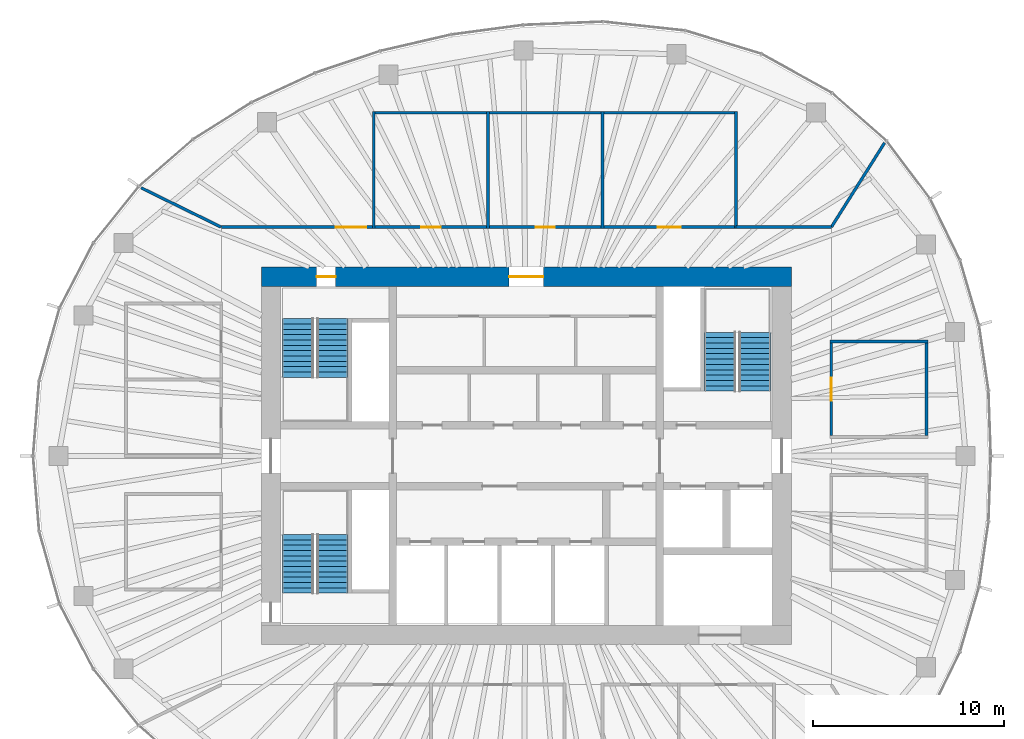
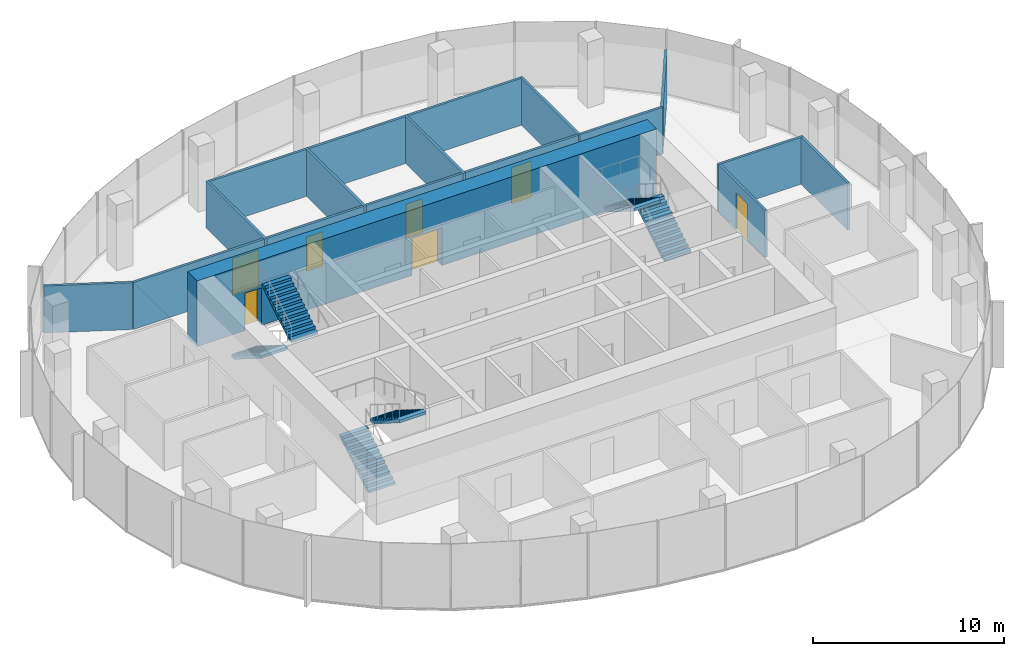
# One storey, part 10 of 11: 18 walls, 7 doors, 6 stair flights, 7 openings, 3 elements without a shape of their own.
"""IFC4 building model written with IfcOpenShell, lengths in metres."""

from ifc_helpers import new_model, si_unit, direction, frame, frame_2d, origin, place, context, subcontext, project, spatial, polyline, rectangle, outline, extrude, material, layer, layer_set, type_object, element, fill, aggregate, save


model = new_model("IFC4")

# Units and contexts
model_context = context("Model", 3, precision=1e-05, world=origin(), true_north=direction((0.0, 1.0)))
body_context = subcontext(model_context, "Body", "Model", "MODEL_VIEW")
ifc_project = project(units=[si_unit("LENGTHUNIT", "METRE"), si_unit("AREAUNIT", "SQUARE_METRE"), si_unit("VOLUMEUNIT", "CUBIC_METRE"), si_unit("PLANEANGLEUNIT", "RADIAN"), si_unit("MASSUNIT", "GRAM", prefix="KILO")], contexts=[model_context])

# Site, building, storey
site_placement = place(None, origin())
site = spatial("IfcSite", under=ifc_project, at=site_placement, CompositionType="ELEMENT")
building_placement = place(site_placement, origin())
building = spatial("IfcBuilding", under=site, at=building_placement, Name="Ghaith Harvest Tower", CompositionType="ELEMENT")
storey_placement = place(building_placement, frame((0.0, 0.0, 321.60009765625)))
storey = spatial("IfcBuildingStorey", under=building, at=storey_placement, Name="L72", CompositionType="ELEMENT", Elevation=321.60009765625)

# Wall, openings, doors
ifc_material_1 = material(Name="Concrete C50/60", Category="concrete")
ifc_layer_1 = layer(ifc_material_1, 1.0)
ifc_layer_set_1 = layer_set([ifc_layer_1], Name="CORE WALL CW1000")
wall_type_1 = type_object("IfcWallType", Name="CORE WALL CW1000", PredefinedType="SHEAR", material=ifc_layer_set_1)
wall_1_placement = place(storey_placement, frame((13.89990234375, 9.39990234375, 0.0), z_axis=(0.0, 0.0, 1.0), x_axis=(-1.0, 0.0, 0.0)))
wall_1 = element("IfcWall", 1, at=wall_1_placement, inside=storey, type_object=wall_type_1, Name="Core wall N L72", PredefinedType="SHEAR", context=body_context, shape_type="SweptSolid", body=[
    extrude(rectangle(XDim=27.7998046875, YDim=1.0, at=frame_2d((13.89990234375, 0.0))), origin(), (0.0, 0.0, 1.0), 4.199951171875),
])
opening_1_placement = place(wall_1_placement, frame((23.89990234375, 0.0, 0.0)))
opening_1 = element("IfcOpeningElement", 2, at=opening_1_placement, cuts=wall_1, Name="Opening 72-005", PredefinedType="OPENING", context=body_context, shape_type="SweptSolid", body=[
    extrude(rectangle(XDim=1.0, YDim=2.39990234375, at=frame_2d((0.5, 1.199951171875))), frame((0.0, 0.510009765625, 0.0), z_axis=(0.0, -1.0, 0.0), x_axis=(1.0, 0.0, 0.0)), (0.0, 0.0, 1.0), 1.02001953125),
])
opening_2_placement = place(wall_1_placement, frame((13.0, 0.0, 0.0)))
opening_2 = element("IfcOpeningElement", 3, at=opening_2_placement, cuts=wall_1, Name="Opening 72-017", PredefinedType="OPENING", context=body_context, shape_type="SweptSolid", body=[
    extrude(rectangle(XDim=1.800048828125, YDim=2.39990234375, at=frame_2d((0.89990234375, 1.199951171875))), frame((0.0, 0.510009765625, 0.0), z_axis=(0.0, -1.0, 0.0), x_axis=(1.0, 0.0, 0.0)), (0.0, 0.0, 1.0), 1.02001953125),
])
ifc_material_2 = material(Name="Steel fire door", Category="steel")
door_type_1 = type_object("IfcDoorType", Name="D3 FD90 1000x2400", OperationType="SINGLE_SWING_LEFT", PredefinedType="DOOR", material=ifc_material_2)
door_1_placement = place(opening_1_placement, origin())
door_1 = element("IfcDoor", 4, at=door_1_placement, inside=storey, type_object=door_type_1, Name="Stair ST1 door", OperationType="SINGLE_SWING_RIGHT", OverallHeight=2.39990234375, OverallWidth=1.0, PredefinedType="DOOR", context=body_context, shape_type="SweptSolid", body=[
    extrude(rectangle(XDim=1.0, YDim=2.39990234375, at=frame_2d((0.5, 1.199951171875))), frame((0.0, 0.02490234375, 0.0), z_axis=(0.0, -1.0, 0.0), x_axis=(1.0, 0.0, 0.0)), (0.0, 0.0, 1.0), 0.050048828125),
])
fill(opening_1, door_1)
ifc_material_3 = material(Name="Steel fire door", Category="steel")
door_type_2 = type_object("IfcDoorType", Name="D4 FD90 PAIR 1800x2400", OperationType="DOUBLE_DOOR_SINGLE_SWING", PredefinedType="DOOR", material=ifc_material_3)
door_2_placement = place(opening_2_placement, origin())
door_2 = element("IfcDoor", 5, at=door_2_placement, inside=storey, type_object=door_type_2, Name="Core service corridor doors", OperationType="DOUBLE_DOOR_SINGLE_SWING", OverallHeight=2.39990234375, OverallWidth=1.800048828125, PredefinedType="DOOR", context=body_context, shape_type="SweptSolid", body=[
    extrude(rectangle(XDim=1.800048828125, YDim=2.39990234375, at=frame_2d((0.89990234375, 1.199951171875))), frame((0.0, 0.02490234375, 0.0), z_axis=(0.0, -1.0, 0.0), x_axis=(1.0, 0.0, 0.0)), (0.0, 0.0, 1.0), 0.050048828125),
])
fill(opening_2, door_2)

# Walls
ifc_material_4 = material(Name="Gypsum board on steel studs", Category="steel")
ifc_layer_2 = layer(ifc_material_4, 0.14990234375)
ifc_layer_set_2 = layer_set([ifc_layer_2], Name="PARTITION 150")
wall_type_2 = type_object("IfcWallType", Name="PARTITION 150", PredefinedType="PARTITIONING", material=ifc_layer_set_2)
for number, where, z_axis, x_axis, name in (
    (6, (-8.0, 11.925048828125, 0.0), (0.0, 0.0, 1.0), (0.0, 1.0, 0.0), "Partition L72 row N1 cross wall 1"),
    (7, (-2.0, 11.925048828125, 0.0), (0.0, 0.0, 1.0), (0.0, 1.0, 0.0), "Partition L72 row N1 cross wall 2"),
    (8, (4.0, 11.925048828125, 0.0), (0.0, 0.0, 1.0), (0.0, 1.0, 0.0), "Partition L72 row N1 cross wall 3"),
    (9, (11.0, 11.925048828125, 0.0), (0.0, 0.0, 1.0), (0.0, 1.0, 0.0), "Partition L72 row N1 cross wall 4"),
):
    element("IfcWall", number, at=place(storey_placement, frame(where, z_axis=z_axis, x_axis=x_axis)), inside=storey, type_object=wall_type_2, Name=name, PredefinedType="PARTITIONING", context=body_context, shape_type="SweptSolid", body=[
        extrude(rectangle(XDim=6.14990234375, YDim=0.14990234375, at=frame_2d((3.074951171875, 0.0))), origin(), (0.0, 0.0, 1.0), 3.0),
    ])

# Wall, opening, door
wall_2_placement = place(storey_placement, frame((-7.925048828125, 12.0, 0.0), z_axis=(0.0, 0.0, 1.0), x_axis=(1.0, 0.0, 0.0)))
wall_2 = element("IfcWall", 10, at=wall_2_placement, inside=storey, type_object=wall_type_2, Name="Partition L72-01", PredefinedType="PARTITIONING", context=body_context, shape_type="SweptSolid", body=[
    extrude(rectangle(XDim=5.85009765625, YDim=0.14990234375, at=frame_2d((2.925048828125, 0.0))), origin(), (0.0, 0.0, 1.0), 3.0),
])
opening_3_placement = place(wall_2_placement, frame((2.425048828125, 0.0, 0.0)))
opening_3 = element("IfcOpeningElement", 11, at=opening_3_placement, cuts=wall_2, Name="Opening 72-025", PredefinedType="OPENING", context=body_context, shape_type="SweptSolid", body=[
    extrude(rectangle(XDim=1.0, YDim=2.199951171875, at=frame_2d((0.5, 1.10009765625))), frame((0.0, 0.0849609375, 0.0), z_axis=(0.0, -1.0, 0.0), x_axis=(1.0, 0.0, 0.0)), (0.0, 0.0, 1.0), 0.169921875),
])
ifc_material_5 = material(Name="Timber door", Category="wood")
door_type_3 = type_object("IfcDoorType", Name="D1 SINGLE 1000x2200", OperationType="SINGLE_SWING_LEFT", PredefinedType="DOOR", material=ifc_material_5)
door_3_placement = place(opening_3_placement, origin())
door_3 = element("IfcDoor", 12, at=door_3_placement, inside=storey, type_object=door_type_3, Name="Drying room door", OperationType="SINGLE_SWING_LEFT", OverallHeight=2.199951171875, OverallWidth=1.0, PredefinedType="DOOR", context=body_context, shape_type="SweptSolid", body=[
    extrude(rectangle(XDim=1.0, YDim=2.199951171875, at=frame_2d((0.5, 1.10009765625))), frame((0.0, 0.02490234375, 0.0), z_axis=(0.0, -1.0, 0.0), x_axis=(1.0, 0.0, 0.0)), (0.0, 0.0, 1.0), 0.050048828125),
])
fill(opening_3, door_3)

# Wall
wall_3_placement = place(storey_placement, frame((-7.925048828125, 18.0, 0.0), z_axis=(0.0, 0.0, 1.0), x_axis=(1.0, 0.0, 0.0)))
element("IfcWall", 13, at=wall_3_placement, inside=storey, type_object=wall_type_2, Name="Partition L72-01", PredefinedType="PARTITIONING", context=body_context, shape_type="SweptSolid", body=[
    extrude(rectangle(XDim=5.85009765625, YDim=0.14990234375, at=frame_2d((2.925048828125, 0.0))), origin(), (0.0, 0.0, 1.0), 3.0),
])

# Wall, opening, door
wall_4_placement = place(storey_placement, frame((-1.925048828125, 12.0, 0.0), z_axis=(0.0, 0.0, 1.0), x_axis=(1.0, 0.0, 0.0)))
wall_4 = element("IfcWall", 14, at=wall_4_placement, inside=storey, type_object=wall_type_2, Name="Partition L72-02", PredefinedType="PARTITIONING", context=body_context, shape_type="SweptSolid", body=[
    extrude(rectangle(XDim=5.85009765625, YDim=0.14990234375, at=frame_2d((2.925048828125, 0.0))), origin(), (0.0, 0.0, 1.0), 3.0),
])
opening_4_placement = place(wall_4_placement, frame((2.425048828125, 0.0, 0.0)))
opening_4 = element("IfcOpeningElement", 15, at=opening_4_placement, cuts=wall_4, Name="Opening 72-026", PredefinedType="OPENING", context=body_context, shape_type="SweptSolid", body=[
    extrude(rectangle(XDim=1.0, YDim=2.199951171875, at=frame_2d((0.5, 1.10009765625))), frame((0.0, 0.0849609375, 0.0), z_axis=(0.0, -1.0, 0.0), x_axis=(1.0, 0.0, 0.0)), (0.0, 0.0, 1.0), 0.169921875),
])
door_4_placement = place(opening_4_placement, origin())
door_4 = element("IfcDoor", 16, at=door_4_placement, inside=storey, type_object=door_type_3, Name="Drying room door", OperationType="SINGLE_SWING_LEFT", OverallHeight=2.199951171875, OverallWidth=1.0, PredefinedType="DOOR", context=body_context, shape_type="SweptSolid", body=[
    extrude(rectangle(XDim=1.0, YDim=2.199951171875, at=frame_2d((0.5, 1.10009765625))), frame((0.0, 0.02490234375, 0.0), z_axis=(0.0, -1.0, 0.0), x_axis=(1.0, 0.0, 0.0)), (0.0, 0.0, 1.0), 0.050048828125),
])
fill(opening_4, door_4)

# Wall
wall_5_placement = place(storey_placement, frame((-1.925048828125, 18.0, 0.0), z_axis=(0.0, 0.0, 1.0), x_axis=(1.0, 0.0, 0.0)))
element("IfcWall", 17, at=wall_5_placement, inside=storey, type_object=wall_type_2, Name="Partition L72-02", PredefinedType="PARTITIONING", context=body_context, shape_type="SweptSolid", body=[
    extrude(rectangle(XDim=5.85009765625, YDim=0.14990234375, at=frame_2d((2.925048828125, 0.0))), origin(), (0.0, 0.0, 1.0), 3.0),
])

# Wall, opening, door
wall_6_placement = place(storey_placement, frame((4.074951171875, 12.0, 0.0), z_axis=(0.0, 0.0, 1.0), x_axis=(1.0, 0.0, 0.0)))
wall_6 = element("IfcWall", 18, at=wall_6_placement, inside=storey, type_object=wall_type_2, Name="Partition L72-03", PredefinedType="PARTITIONING", context=body_context, shape_type="SweptSolid", body=[
    extrude(rectangle(XDim=6.85009765625, YDim=0.14990234375, at=frame_2d((3.425048828125, 0.0))), origin(), (0.0, 0.0, 1.0), 3.0),
])
opening_5_placement = place(wall_6_placement, frame((2.824951171875, 0.0, 0.0)))
opening_5 = element("IfcOpeningElement", 19, at=opening_5_placement, cuts=wall_6, Name="Opening 72-027", PredefinedType="OPENING", context=body_context, shape_type="SweptSolid", body=[
    extrude(rectangle(XDim=1.199951171875, YDim=2.300048828125, at=frame_2d((0.60009765625, 1.14990234375))), frame((0.0, 0.0849609375, 0.0), z_axis=(0.0, -1.0, 0.0), x_axis=(1.0, 0.0, 0.0)), (0.0, 0.0, 1.0), 0.169921875),
])
ifc_material_6 = material(Name="Timber door with vision panel", Category="wood")
door_type_4 = type_object("IfcDoorType", Name="D15 LABORATORY 1200x2300", OperationType="SINGLE_SWING_LEFT", PredefinedType="DOOR", material=ifc_material_6)
door_5_placement = place(opening_5_placement, origin())
door_5 = element("IfcDoor", 20, at=door_5_placement, inside=storey, type_object=door_type_4, Name="Distillation laboratory door", OperationType="SINGLE_SWING_LEFT", OverallHeight=2.300048828125, OverallWidth=1.199951171875, PredefinedType="DOOR", context=body_context, shape_type="SweptSolid", body=[
    extrude(rectangle(XDim=1.199951171875, YDim=2.300048828125, at=frame_2d((0.60009765625, 1.14990234375))), frame((0.0, 0.02490234375, 0.0), z_axis=(0.0, -1.0, 0.0), x_axis=(1.0, 0.0, 0.0)), (0.0, 0.0, 1.0), 0.050048828125),
])
fill(opening_5, door_5)

# Walls
wall_7_placement = place(storey_placement, frame((4.074951171875, 18.0, 0.0), z_axis=(0.0, 0.0, 1.0), x_axis=(1.0, 0.0, 0.0)))
element("IfcWall", 21, at=wall_7_placement, inside=storey, type_object=wall_type_2, Name="Partition L72-03", PredefinedType="PARTITIONING", context=body_context, shape_type="SweptSolid", body=[
    extrude(rectangle(XDim=6.85009765625, YDim=0.14990234375, at=frame_2d((3.425048828125, 0.0))), origin(), (0.0, 0.0, 1.0), 3.0),
])
wall_8_placement = place(storey_placement, frame((15.925048828125, 6.0, 0.0), z_axis=(0.0, 0.0, 1.0), x_axis=(1.0, 0.0, 0.0)))
element("IfcWall", 22, at=wall_8_placement, inside=storey, type_object=wall_type_2, Name="Partition L72 row E6 cross wall 2", PredefinedType="PARTITIONING", context=body_context, shape_type="SweptSolid", body=[
    extrude(rectangle(XDim=5.14990234375, YDim=0.14990234375, at=frame_2d((2.574951171875, 0.0))), origin(), (0.0, 0.0, 1.0), 3.0),
])

# Wall, opening, door
wall_9_placement = place(storey_placement, frame((16.0, 1.074951171875, 0.0), z_axis=(0.0, 0.0, 1.0), x_axis=(0.0, 1.0, 0.0)))
wall_9 = element("IfcWall", 23, at=wall_9_placement, inside=storey, type_object=wall_type_2, Name="Partition L72-10", PredefinedType="PARTITIONING", context=body_context, shape_type="SweptSolid", body=[
    extrude(rectangle(XDim=4.85009765625, YDim=0.14990234375, at=frame_2d((2.425048828125, 0.0))), origin(), (0.0, 0.0, 1.0), 3.0),
])
opening_6_placement = place(wall_9_placement, frame((1.824951171875, 0.0, 0.0)))
opening_6 = element("IfcOpeningElement", 24, at=opening_6_placement, cuts=wall_9, Name="Opening 72-034", PredefinedType="OPENING", context=body_context, shape_type="SweptSolid", body=[
    extrude(rectangle(XDim=1.199951171875, YDim=2.300048828125, at=frame_2d((0.60009765625, 1.14990234375))), frame((0.0, 0.0849609375, 0.0), z_axis=(0.0, -1.0, 0.0), x_axis=(1.0, 0.0, 0.0)), (0.0, 0.0, 1.0), 0.169921875),
])
door_6_placement = place(opening_6_placement, origin())
door_6 = element("IfcDoor", 25, at=door_6_placement, inside=storey, type_object=door_type_4, Name="Quality laboratory door", OperationType="SINGLE_SWING_LEFT", OverallHeight=2.300048828125, OverallWidth=1.199951171875, PredefinedType="DOOR", context=body_context, shape_type="SweptSolid", body=[
    extrude(rectangle(XDim=1.199951171875, YDim=2.300048828125, at=frame_2d((0.60009765625, 1.14990234375))), frame((0.0, 0.02490234375, 0.0), z_axis=(0.0, -1.0, 0.0), x_axis=(1.0, 0.0, 0.0)), (0.0, 0.0, 1.0), 0.050048828125),
])
fill(opening_6, door_6)

# Walls
wall_10_placement = place(storey_placement, frame((21.0, 1.074951171875, 0.0), z_axis=(0.0, 0.0, 1.0), x_axis=(0.0, 1.0, 0.0)))
element("IfcWall", 26, at=wall_10_placement, inside=storey, type_object=wall_type_2, Name="Partition L72-10", PredefinedType="PARTITIONING", context=body_context, shape_type="SweptSolid", body=[
    extrude(rectangle(XDim=4.85009765625, YDim=0.14990234375, at=frame_2d((2.425048828125, 0.0))), origin(), (0.0, 0.0, 1.0), 3.0),
])
wall_11_placement = place(storey_placement, frame((-16.017822265625, 12.0087890625, 0.0), z_axis=(0.0, 0.0, 1.0), x_axis=(-0.897771840996, 0.440460805879, 0.0)))
element("IfcWall", 27, at=wall_11_placement, inside=storey, type_object=wall_type_2, Name="Partition L72 zone division", PredefinedType="PARTITIONING", context=body_context, shape_type="SweptSolid", body=[
    extrude(rectangle(XDim=4.66552734375, YDim=0.14990234375, at=frame_2d((2.332763671875, 0.0))), origin(), (0.0, 0.0, 1.0), 3.0),
])
wall_12_placement = place(storey_placement, frame((16.0107421875, 12.016845703125, 0.0), z_axis=(0.0, 0.0, 1.0), x_axis=(0.53415837449, 0.845384427916, 0.0)))
element("IfcWall", 28, at=wall_12_placement, inside=storey, type_object=wall_type_2, Name="Partition L72 zone division", PredefinedType="PARTITIONING", context=body_context, shape_type="SweptSolid", body=[
    extrude(rectangle(XDim=5.220458984375, YDim=0.14990234375, at=frame_2d((2.6103515625, 0.0))), origin(), (0.0, 0.0, 1.0), 3.0),
])

# Wall, opening, door
wall_13_placement = place(storey_placement, frame((-8.0, 12.0, 0.0), z_axis=(0.0, 0.0, 1.0), x_axis=(-1.0, 0.0, 0.0)))
wall_13 = element("IfcWall", 29, at=wall_13_placement, inside=storey, type_object=wall_type_2, Name="Partition L72 zone enclosure", PredefinedType="PARTITIONING", context=body_context, shape_type="SweptSolid", body=[
    extrude(rectangle(XDim=8.0, YDim=0.14990234375, at=frame_2d((4.0, 0.0))), origin(), (0.0, 0.0, 1.0), 3.0),
])
opening_7_placement = place(wall_13_placement, frame((0.39990234375, 0.0, 0.0)))
opening_7 = element("IfcOpeningElement", 30, at=opening_7_placement, cuts=wall_13, Name="Opening 72-037", PredefinedType="OPENING", context=body_context, shape_type="SweptSolid", body=[
    extrude(rectangle(XDim=1.60009765625, YDim=2.39990234375, at=frame_2d((0.800048828125, 1.199951171875))), frame((0.0, 0.0849609375, 0.0), z_axis=(0.0, -1.0, 0.0), x_axis=(1.0, 0.0, 0.0)), (0.0, 0.0, 1.0), 0.169921875),
])
ifc_material_7 = material(Name="Timber door", Category="wood")
door_type_5 = type_object("IfcDoorType", Name="D2 PAIR 1600x2400", OperationType="DOUBLE_DOOR_SINGLE_SWING", PredefinedType="DOOR", material=ifc_material_7)
door_7_placement = place(opening_7_placement, origin())
door_7 = element("IfcDoor", 31, at=door_7_placement, inside=storey, type_object=door_type_5, Name="Herb and spice growing area north door", OperationType="DOUBLE_DOOR_SINGLE_SWING", OverallHeight=2.39990234375, OverallWidth=1.60009765625, PredefinedType="DOOR", context=body_context, shape_type="SweptSolid", body=[
    extrude(rectangle(XDim=1.60009765625, YDim=2.39990234375, at=frame_2d((0.800048828125, 1.199951171875))), frame((0.0, 0.02490234375, 0.0), z_axis=(0.0, -1.0, 0.0), x_axis=(1.0, 0.0, 0.0)), (0.0, 0.0, 1.0), 0.050048828125),
])
fill(opening_7, door_7)

# Wall
wall_14_placement = place(storey_placement, frame((16.0, 12.0, 0.0), z_axis=(0.0, 0.0, 1.0), x_axis=(-1.0, 0.0, 0.0)))
element("IfcWall", 32, at=wall_14_placement, inside=storey, type_object=wall_type_2, Name="Partition L72 zone enclosure", PredefinedType="PARTITIONING", context=body_context, shape_type="SweptSolid", body=[
    extrude(rectangle(XDim=5.0, YDim=0.14990234375, at=frame_2d((2.5, 0.0))), origin(), (0.0, 0.0, 1.0), 3.0),
])

# Stair, stair flights
ifc_material_8 = material(Name="Concrete C40/50, precast", Category="concrete")
stair_type = type_object("IfcStairType", Name="CORE STAIR 24R", PredefinedType="HALF_TURN_STAIR", material=ifc_material_8)
stair_1_placement = place(storey_placement, origin())
stair_1 = element("IfcStair", 33, at=stair_1_placement, inside=storey, type_object=stair_type, Name="Stair ST1 L72", PredefinedType="HALF_TURN_STAIR")
ifc_material_9 = material(Name="Concrete C40/50, precast", Category="concrete")
stair_flight_type = type_object("IfcStairFlightType", Name="CORE FLIGHT 12R 1600", PredefinedType="STRAIGHT", material=ifc_material_9)
stair_flight_1_placement = place(storey_placement, frame((-12.0, 7.199951171875, 0.0), z_axis=(0.0, 0.0, 1.0), x_axis=(0.0, -1.0, 0.0)))
stair_flight_1 = element("IfcStairFlight", 34, at=stair_flight_1_placement, type_object=stair_flight_type, Name="ST1 flight 1", NumberOfRisers=12, NumberOfTreads=11, PredefinedType="STRAIGHT", RiserHeight=0.175, TreadLength=0.28, context=body_context, shape_type="SweptSolid", body=[
    extrude(outline(polyline([(0.0, 0.0), (0.0, 0.175048828125), (0.280029296875, 0.175048828125), (0.280029296875, 0.35009765625), (0.56005859375, 0.35009765625), (0.56005859375, 0.52490234375), (0.840087890625, 0.52490234375), (0.840087890625, 0.699951171875), (1.1201171875, 0.699951171875), (1.1201171875, 0.875), (1.39990234375, 0.875), (1.39990234375, 1.050048828125), (1.679931640625, 1.050048828125), (1.679931640625, 1.22509765625), (1.9599609375, 1.22509765625), (1.9599609375, 1.39990234375), (2.239990234375, 1.39990234375), (2.239990234375, 1.574951171875), (2.52001953125, 1.574951171875), (2.52001953125, 1.75), (2.800048828125, 1.75), (2.800048828125, 1.925048828125), (3.080078125, 1.925048828125), (3.080078125, 2.10009765625), (3.080078125, 1.748291015625), (0.28271484375, 0.0), (0.0, 0.0)])), frame((0.0, 0.800048828125, 0.0), z_axis=(0.0, -1.0, 0.0), x_axis=(1.0, 0.0, 0.0)), (0.0, 0.0, 1.0), 1.60009765625),
])
stair_flight_2_placement = place(storey_placement, frame((-10.14990234375, 4.1201171875, 2.099853515625), z_axis=(0.0, 0.0, 1.0), x_axis=(0.0, 1.0, 0.0)))
stair_flight_2 = element("IfcStairFlight", 35, at=stair_flight_2_placement, type_object=stair_flight_type, Name="ST1 flight 2", NumberOfRisers=12, NumberOfTreads=11, PredefinedType="STRAIGHT", RiserHeight=0.175, TreadLength=0.28, context=body_context, shape_type="SweptSolid", body=[
    extrude(outline(polyline([(0.0, 0.0), (0.0, 0.175048828125), (0.280029296875, 0.175048828125), (0.280029296875, 0.35009765625), (0.56005859375, 0.35009765625), (0.56005859375, 0.52490234375), (0.840087890625, 0.52490234375), (0.840087890625, 0.699951171875), (1.1201171875, 0.699951171875), (1.1201171875, 0.875), (1.39990234375, 0.875), (1.39990234375, 1.050048828125), (1.679931640625, 1.050048828125), (1.679931640625, 1.22509765625), (1.9599609375, 1.22509765625), (1.9599609375, 1.39990234375), (2.239990234375, 1.39990234375), (2.239990234375, 1.574951171875), (2.52001953125, 1.574951171875), (2.52001953125, 1.75), (2.800048828125, 1.75), (2.800048828125, 1.925048828125), (3.080078125, 1.925048828125), (3.080078125, 2.10009765625), (3.080078125, 1.748291015625), (0.28271484375, 0.0), (0.0, 0.0)])), frame((0.0, 0.800048828125, 0.0), z_axis=(0.0, -1.0, 0.0), x_axis=(1.0, 0.0, 0.0)), (0.0, 0.0, 1.0), 1.60009765625),
])
aggregate(stair_1, [stair_flight_1, stair_flight_2])

stair_2_placement = place(storey_placement, origin())
stair_2 = element("IfcStair", 36, at=stair_2_placement, inside=storey, type_object=stair_type, Name="Stair ST3 L72", PredefinedType="HALF_TURN_STAIR")
stair_flight_3_placement = place(storey_placement, frame((-12.0, -7.199951171875, 0.0), z_axis=(0.0, 0.0, 1.0), x_axis=(0.0, 1.0, 0.0)))
stair_flight_3 = element("IfcStairFlight", 37, at=stair_flight_3_placement, type_object=stair_flight_type, Name="ST3 flight 1", NumberOfRisers=12, NumberOfTreads=11, PredefinedType="STRAIGHT", RiserHeight=0.175, TreadLength=0.28, context=body_context, shape_type="SweptSolid", body=[
    extrude(outline(polyline([(0.0, 0.0), (0.0, 0.175048828125), (0.280029296875, 0.175048828125), (0.280029296875, 0.35009765625), (0.56005859375, 0.35009765625), (0.56005859375, 0.52490234375), (0.840087890625, 0.52490234375), (0.840087890625, 0.699951171875), (1.1201171875, 0.699951171875), (1.1201171875, 0.875), (1.39990234375, 0.875), (1.39990234375, 1.050048828125), (1.679931640625, 1.050048828125), (1.679931640625, 1.22509765625), (1.9599609375, 1.22509765625), (1.9599609375, 1.39990234375), (2.239990234375, 1.39990234375), (2.239990234375, 1.574951171875), (2.52001953125, 1.574951171875), (2.52001953125, 1.75), (2.800048828125, 1.75), (2.800048828125, 1.925048828125), (3.080078125, 1.925048828125), (3.080078125, 2.10009765625), (3.080078125, 1.748291015625), (0.28271484375, 0.0), (0.0, 0.0)])), frame((0.0, 0.800048828125, 0.0), z_axis=(0.0, -1.0, 0.0), x_axis=(1.0, 0.0, 0.0)), (0.0, 0.0, 1.0), 1.60009765625),
])
stair_flight_4_placement = place(storey_placement, frame((-10.14990234375, -4.1201171875, 2.099853515625), z_axis=(0.0, 0.0, 1.0), x_axis=(0.0, -1.0, 0.0)))
stair_flight_4 = element("IfcStairFlight", 38, at=stair_flight_4_placement, type_object=stair_flight_type, Name="ST3 flight 2", NumberOfRisers=12, NumberOfTreads=11, PredefinedType="STRAIGHT", RiserHeight=0.175, TreadLength=0.28, context=body_context, shape_type="SweptSolid", body=[
    extrude(outline(polyline([(0.0, 0.0), (0.0, 0.175048828125), (0.280029296875, 0.175048828125), (0.280029296875, 0.35009765625), (0.56005859375, 0.35009765625), (0.56005859375, 0.52490234375), (0.840087890625, 0.52490234375), (0.840087890625, 0.699951171875), (1.1201171875, 0.699951171875), (1.1201171875, 0.875), (1.39990234375, 0.875), (1.39990234375, 1.050048828125), (1.679931640625, 1.050048828125), (1.679931640625, 1.22509765625), (1.9599609375, 1.22509765625), (1.9599609375, 1.39990234375), (2.239990234375, 1.39990234375), (2.239990234375, 1.574951171875), (2.52001953125, 1.574951171875), (2.52001953125, 1.75), (2.800048828125, 1.75), (2.800048828125, 1.925048828125), (3.080078125, 1.925048828125), (3.080078125, 2.10009765625), (3.080078125, 1.748291015625), (0.28271484375, 0.0), (0.0, 0.0)])), frame((0.0, 0.800048828125, 0.0), z_axis=(0.0, -1.0, 0.0), x_axis=(1.0, 0.0, 0.0)), (0.0, 0.0, 1.0), 1.60009765625),
])
aggregate(stair_2, [stair_flight_3, stair_flight_4])

stair_3_placement = place(storey_placement, origin())
stair_3 = element("IfcStair", 39, at=stair_3_placement, inside=storey, type_object=stair_type, Name="Stair ST2 L72", PredefinedType="HALF_TURN_STAIR")
stair_flight_5_placement = place(storey_placement, frame((12.0, 3.39990234375, 0.0), z_axis=(0.0, 0.0, 1.0), x_axis=(0.0, 1.0, 0.0)))
stair_flight_5 = element("IfcStairFlight", 40, at=stair_flight_5_placement, type_object=stair_flight_type, Name="ST2 flight 1", NumberOfRisers=12, NumberOfTreads=11, PredefinedType="STRAIGHT", RiserHeight=0.175, TreadLength=0.28, context=body_context, shape_type="SweptSolid", body=[
    extrude(outline(polyline([(0.0, 0.0), (0.0, 0.175048828125), (0.280029296875, 0.175048828125), (0.280029296875, 0.35009765625), (0.56005859375, 0.35009765625), (0.56005859375, 0.52490234375), (0.840087890625, 0.52490234375), (0.840087890625, 0.699951171875), (1.1201171875, 0.699951171875), (1.1201171875, 0.875), (1.39990234375, 0.875), (1.39990234375, 1.050048828125), (1.679931640625, 1.050048828125), (1.679931640625, 1.22509765625), (1.9599609375, 1.22509765625), (1.9599609375, 1.39990234375), (2.239990234375, 1.39990234375), (2.239990234375, 1.574951171875), (2.52001953125, 1.574951171875), (2.52001953125, 1.75), (2.800048828125, 1.75), (2.800048828125, 1.925048828125), (3.080078125, 1.925048828125), (3.080078125, 2.10009765625), (3.080078125, 1.748291015625), (0.28271484375, 0.0), (0.0, 0.0)])), frame((0.0, 0.800048828125, 0.0), z_axis=(0.0, -1.0, 0.0), x_axis=(1.0, 0.0, 0.0)), (0.0, 0.0, 1.0), 1.60009765625),
])
stair_flight_6_placement = place(storey_placement, frame((10.14990234375, 6.47998046875, 2.099853515625), z_axis=(0.0, 0.0, 1.0), x_axis=(0.0, -1.0, 0.0)))
stair_flight_6 = element("IfcStairFlight", 41, at=stair_flight_6_placement, type_object=stair_flight_type, Name="ST2 flight 2", NumberOfRisers=12, NumberOfTreads=11, PredefinedType="STRAIGHT", RiserHeight=0.175, TreadLength=0.28, context=body_context, shape_type="SweptSolid", body=[
    extrude(outline(polyline([(0.0, 0.0), (0.0, 0.175048828125), (0.280029296875, 0.175048828125), (0.280029296875, 0.35009765625), (0.56005859375, 0.35009765625), (0.56005859375, 0.52490234375), (0.840087890625, 0.52490234375), (0.840087890625, 0.699951171875), (1.1201171875, 0.699951171875), (1.1201171875, 0.875), (1.39990234375, 0.875), (1.39990234375, 1.050048828125), (1.679931640625, 1.050048828125), (1.679931640625, 1.22509765625), (1.9599609375, 1.22509765625), (1.9599609375, 1.39990234375), (2.239990234375, 1.39990234375), (2.239990234375, 1.574951171875), (2.52001953125, 1.574951171875), (2.52001953125, 1.75), (2.800048828125, 1.75), (2.800048828125, 1.925048828125), (3.080078125, 1.925048828125), (3.080078125, 2.10009765625), (3.080078125, 1.748291015625), (0.28271484375, 0.0), (0.0, 0.0)])), frame((0.0, 0.800048828125, 0.0), z_axis=(0.0, -1.0, 0.0), x_axis=(1.0, 0.0, 0.0)), (0.0, 0.0, 1.0), 1.60009765625),
])
aggregate(stair_3, [stair_flight_5, stair_flight_6])

save(model, "model.ifc")
